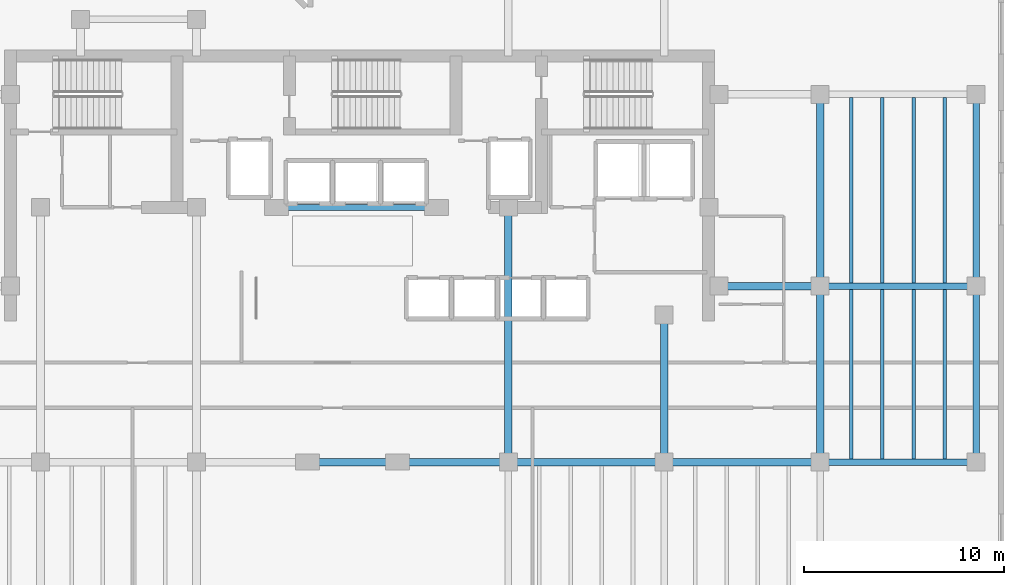
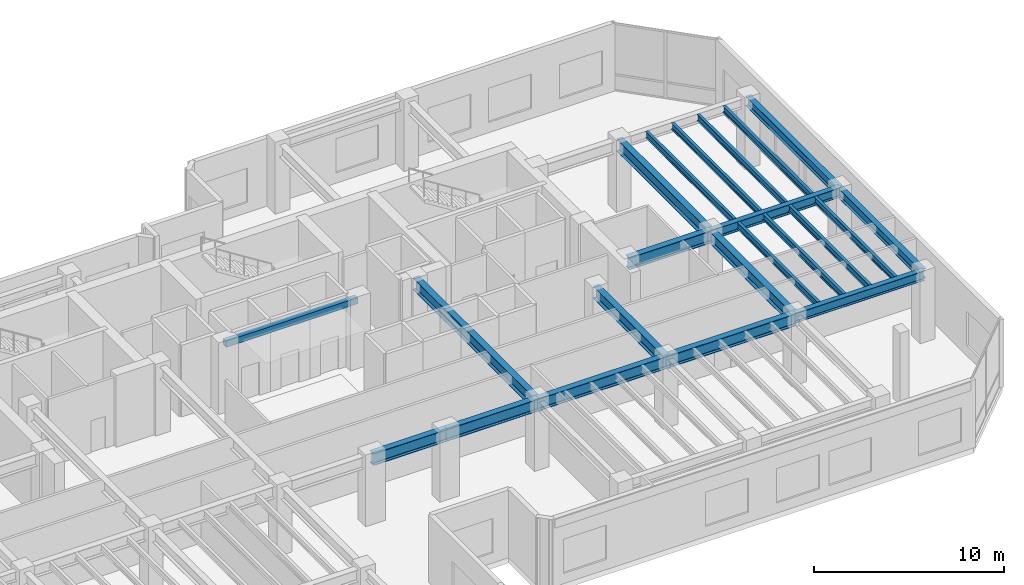
# One storey, part 7 of 20: 22 beams.
"""IFC4 building model written with IfcOpenShell, lengths in metres."""

from ifc_helpers import new_model, si_unit, direction, frame, origin, origin_2d, place, context, subcontext, project, spatial, rectangle, i_section, extrude, material, material_profile, profile_set, type_object, element, save


model = new_model("IFC4")

# Units and contexts
model_context = context("Model", 3, precision=1e-05, world=origin(), true_north=direction((0.0, 1.0)))
body_context = subcontext(model_context, "Body", "Model", "MODEL_VIEW")
ifc_project = project(units=[si_unit("LENGTHUNIT", "METRE"), si_unit("AREAUNIT", "SQUARE_METRE"), si_unit("VOLUMEUNIT", "CUBIC_METRE"), si_unit("PLANEANGLEUNIT", "RADIAN"), si_unit("MASSUNIT", "GRAM", prefix="KILO")], contexts=[model_context])

# Site, building, storey
site_placement = place(None, origin())
site = spatial("IfcSite", under=ifc_project, at=site_placement, CompositionType="ELEMENT")
building_placement = place(site_placement, origin())
building = spatial("IfcBuilding", under=site, at=building_placement, Name="Kestravale Grand Hotel", CompositionType="ELEMENT")
storey_placement = place(building_placement, frame((0.0, 0.0, 231.89990234375)))
storey = spatial("IfcBuildingStorey", under=building, at=storey_placement, Name="L58", CompositionType="ELEMENT", Elevation=231.89990234375)

# Beams
ifc_material_1 = material(Name="Steel ASTM A992 Grade 50", Category="steel")
ifc_material_profile_1 = material_profile(ifc_material_1, i_section(OverallWidth=0.177978515625, OverallDepth=0.404052734375, WebThickness=0.007568359375, FlangeThickness=0.010986328125, FilletRadius=0.01416015625, at=origin_2d()))
ifc_profile_set_1 = profile_set([ifc_material_profile_1], Name="Steel ASTM A992 Grade 50")
beam_type_1 = type_object("IfcBeamType", Name="B-FLR-JST16", PredefinedType="JOIST", material=ifc_profile_set_1)
for number, where, z_axis, x_axis, name in (
    (1, (63.9599609375, 20.16259765625, 4.148193359375), (0.0, 1.0, 0.0), (-1.0, 0.0, 0.0), "L58 floor joist 10-11/D-E #1"),
    (2, (65.52001953125, 20.16259765625, 4.148193359375), (0.0, 1.0, 0.0), (-1.0, 0.0, 0.0), "L58 floor joist 10-11/D-E #2"),
    (3, (67.080078125, 20.16259765625, 4.148193359375), (0.0, 1.0, 0.0), (-1.0, 0.0, 0.0), "L58 floor joist 10-11/D-E #3"),
    (4, (68.639892578125, 20.16259765625, 4.148193359375), (0.0, 1.0, 0.0), (-1.0, 0.0, 0.0), "L58 floor joist 10-11/D-E #4"),
):
    element("IfcBeam", number, at=place(storey_placement, frame(where, z_axis=z_axis, x_axis=x_axis)), inside=storey, type_object=beam_type_1, Name=name, PredefinedType="JOIST", context=body_context, shape_type="SweptSolid", body=[
        extrude(i_section(OverallWidth=0.177978515625, OverallDepth=0.404052734375, WebThickness=0.007568359375, FlangeThickness=0.010986328125, FilletRadius=0.01416015625, at=origin_2d()), origin(), (0.0, 0.0, 1.0), 8.474853515625),
    ])
for number, where, z_axis, x_axis, name in (
    (5, (63.9599609375, 28.96240234375, 4.148193359375), (0.0, 1.0, 0.0), (-1.0, 0.0, 0.0), "L58 floor joist 10-11/E-F #1"),
    (6, (65.52001953125, 28.96240234375, 4.148193359375), (0.0, 1.0, 0.0), (-1.0, 0.0, 0.0), "L58 floor joist 10-11/E-F #2"),
    (7, (67.080078125, 28.96240234375, 4.148193359375), (0.0, 1.0, 0.0), (-1.0, 0.0, 0.0), "L58 floor joist 10-11/E-F #3"),
    (8, (68.639892578125, 28.96240234375, 4.148193359375), (0.0, 1.0, 0.0), (-1.0, 0.0, 0.0), "L58 floor joist 10-11/E-F #4"),
):
    element("IfcBeam", number, at=place(storey_placement, frame(where, z_axis=z_axis, x_axis=x_axis)), inside=storey, type_object=beam_type_1, Name=name, PredefinedType="JOIST", context=body_context, shape_type="SweptSolid", body=[
        extrude(i_section(OverallWidth=0.177978515625, OverallDepth=0.404052734375, WebThickness=0.007568359375, FlangeThickness=0.010986328125, FilletRadius=0.01416015625, at=origin_2d()), origin(), (0.0, 0.0, 1.0), 9.275146484375),
    ])
ifc_material_2 = material(Name="Concrete f'c 45 MPa", Category="concrete")
ifc_material_profile_2 = material_profile(ifc_material_2, rectangle(XDim=0.300048828125, YDim=0.39990234375, at=origin_2d()))
ifc_profile_set_2 = profile_set([ifc_material_profile_2], Name="Concrete f'c 45 MPa")
beam_type_2 = type_object("IfcBeamType", Name="B-FLR-LNT400", PredefinedType="LINTEL", material=ifc_profile_set_2)
beam_1_placement = place(storey_placement, frame((35.199951171875, 32.75, 4.150146484375), z_axis=(1.0, 0.0, 0.0), x_axis=(0.0, 1.0, 0.0)))
element("IfcBeam", 9, at=beam_1_placement, inside=storey, type_object=beam_type_2, Name="L58 core portal header lintel", PredefinedType="LINTEL", context=body_context, shape_type="SweptSolid", body=[
    extrude(rectangle(XDim=0.300048828125, YDim=0.39990234375, at=origin_2d()), origin(), (0.0, 0.0, 1.0), 8.0),
])
ifc_material_3 = material(Name="Steel ASTM A992 Grade 50", Category="steel")
ifc_material_profile_3 = material_profile(ifc_material_3, i_section(OverallWidth=0.324951171875, OverallDepth=0.612060546875, WebThickness=0.0126953125, FlangeThickness=0.01904296875, FilletRadius=0.018798828125, at=origin_2d()))
ifc_profile_set_3 = profile_set([ifc_material_profile_3], Name="Steel ASTM A992 Grade 50")
beam_type_3 = type_object("IfcBeamType", Name="B-FLR-W24A", PredefinedType="SPANDREL", material=ifc_profile_set_3)
for number, where, z_axis, x_axis, name in (
    (10, (62.39990234375, 20.0, 4.044189453125), (1.0, 0.0, 0.0), (0.0, 1.0, 0.0), "L58 spandrel D:10-11"),
    (11, (62.39990234375, 28.800048828125, 4.044189453125), (1.0, 0.0, 0.0), (0.0, 1.0, 0.0), "L58 spandrel E:10-11"),
):
    element("IfcBeam", number, at=place(storey_placement, frame(where, z_axis=z_axis, x_axis=x_axis)), inside=storey, type_object=beam_type_3, Name=name, PredefinedType="SPANDREL", context=body_context, shape_type="SweptSolid", body=[
        extrude(i_section(OverallWidth=0.324951171875, OverallDepth=0.612060546875, WebThickness=0.0126953125, FlangeThickness=0.01904296875, FilletRadius=0.018798828125, at=origin_2d()), origin(), (0.0, 0.0, 1.0), 7.800048828125),
    ])
beam_2_placement = place(storey_placement, frame((70.199951171875, 20.0, 4.044189453125), z_axis=(0.0, 1.0, 0.0), x_axis=(-1.0, 0.0, 0.0)))
element("IfcBeam", 12, at=beam_2_placement, inside=storey, type_object=beam_type_3, Name="L58 spandrel 11:D-E", PredefinedType="SPANDREL", context=body_context, shape_type="SweptSolid", body=[
    extrude(i_section(OverallWidth=0.324951171875, OverallDepth=0.612060546875, WebThickness=0.0126953125, FlangeThickness=0.01904296875, FilletRadius=0.018798828125, at=origin_2d()), origin(), (0.0, 0.0, 1.0), 8.800048828125),
])
beam_3_placement = place(storey_placement, frame((70.199951171875, 28.800048828125, 4.044189453125), z_axis=(0.0, 1.0, 0.0), x_axis=(-1.0, 0.0, 0.0)))
element("IfcBeam", 13, at=beam_3_placement, inside=storey, type_object=beam_type_3, Name="L58 spandrel 11:E-F", PredefinedType="SPANDREL", context=body_context, shape_type="SweptSolid", body=[
    extrude(i_section(OverallWidth=0.324951171875, OverallDepth=0.612060546875, WebThickness=0.0126953125, FlangeThickness=0.01904296875, FilletRadius=0.018798828125, at=origin_2d()), origin(), (0.0, 0.0, 1.0), 9.599853515625),
])
ifc_material_4 = material(Name="Steel ASTM A992 Grade 50", Category="steel")
ifc_material_profile_4 = material_profile(ifc_material_4, i_section(OverallWidth=0.381103515625, OverallDepth=0.77197265625, WebThickness=0.0166015625, FlangeThickness=0.027099609375, FilletRadius=0.023681640625, at=origin_2d()))
ifc_profile_set_4 = profile_set([ifc_material_profile_4], Name="Steel ASTM A992 Grade 50")
beam_type_4 = type_object("IfcBeamType", Name="B-GRD-W30", PredefinedType="BEAM", material=ifc_profile_set_4)
beam_4_placement = place(storey_placement, frame((36.75, 20.0, 3.964111328125), z_axis=(1.0, 0.0, 0.0), x_axis=(0.0, 1.0, 0.0)))
element("IfcBeam", 14, at=beam_4_placement, inside=storey, type_object=beam_type_4, Name="L58 girder D:6-7", PredefinedType="BEAM", context=body_context, shape_type="SweptSolid", body=[
    extrude(i_section(OverallWidth=0.381103515625, OverallDepth=0.77197265625, WebThickness=0.0166015625, FlangeThickness=0.027099609375, FilletRadius=0.023681640625, at=origin_2d()), origin(), (0.0, 0.0, 1.0), 4.5),
])
beam_5_placement = place(storey_placement, frame((41.25, 20.0, 3.964111328125), z_axis=(1.0, 0.0, 0.0), x_axis=(0.0, 1.0, 0.0)))
element("IfcBeam", 15, at=beam_5_placement, inside=storey, type_object=beam_type_4, Name="L58 girder D:7-8", PredefinedType="BEAM", context=body_context, shape_type="SweptSolid", body=[
    extrude(i_section(OverallWidth=0.381103515625, OverallDepth=0.77197265625, WebThickness=0.0166015625, FlangeThickness=0.027099609375, FilletRadius=0.023681640625, at=origin_2d()), origin(), (0.0, 0.0, 1.0), 5.550048828125),
])
beam_6_placement = place(storey_placement, frame((46.800048828125, 20.0, 3.964111328125), z_axis=(1.0, 0.0, 0.0), x_axis=(0.0, 1.0, 0.0)))
element("IfcBeam", 16, at=beam_6_placement, inside=storey, type_object=beam_type_4, Name="L58 girder D:8-9", PredefinedType="BEAM", context=body_context, shape_type="SweptSolid", body=[
    extrude(i_section(OverallWidth=0.381103515625, OverallDepth=0.77197265625, WebThickness=0.0166015625, FlangeThickness=0.027099609375, FilletRadius=0.023681640625, at=origin_2d()), origin(), (0.0, 0.0, 1.0), 7.800048828125),
])
beam_7_placement = place(storey_placement, frame((54.60009765625, 20.0, 3.964111328125), z_axis=(1.0, 0.0, 0.0), x_axis=(0.0, 1.0, 0.0)))
element("IfcBeam", 17, at=beam_7_placement, inside=storey, type_object=beam_type_4, Name="L58 girder D:9-10", PredefinedType="BEAM", context=body_context, shape_type="SweptSolid", body=[
    extrude(i_section(OverallWidth=0.381103515625, OverallDepth=0.77197265625, WebThickness=0.0166015625, FlangeThickness=0.027099609375, FilletRadius=0.023681640625, at=origin_2d()), origin(), (0.0, 0.0, 1.0), 7.7998046875),
])
beam_8_placement = place(storey_placement, frame((57.35009765625, 28.800048828125, 3.964111328125), z_axis=(1.0, 0.0, 0.0), x_axis=(0.0, 1.0, 0.0)))
element("IfcBeam", 18, at=beam_8_placement, inside=storey, type_object=beam_type_4, Name="L58 girder E:CE-10", PredefinedType="BEAM", context=body_context, shape_type="SweptSolid", body=[
    extrude(i_section(OverallWidth=0.381103515625, OverallDepth=0.77197265625, WebThickness=0.0166015625, FlangeThickness=0.027099609375, FilletRadius=0.023681640625, at=origin_2d()), origin(), (0.0, 0.0, 1.0), 5.0498046875),
])
beam_9_placement = place(storey_placement, frame((46.800048828125, 20.0, 3.964111328125), z_axis=(0.0, 1.0, 0.0), x_axis=(-1.0, 0.0, 0.0)))
element("IfcBeam", 19, at=beam_9_placement, inside=storey, type_object=beam_type_4, Name="L58 girder 8:D-CS", PredefinedType="BEAM", context=body_context, shape_type="SweptSolid", body=[
    extrude(i_section(OverallWidth=0.381103515625, OverallDepth=0.77197265625, WebThickness=0.0166015625, FlangeThickness=0.027099609375, FilletRadius=0.023681640625, at=origin_2d()), origin(), (0.0, 0.0, 1.0), 12.75),
])
beam_10_placement = place(storey_placement, frame((54.60009765625, 20.0, 3.964111328125), z_axis=(0.0, 1.0, 0.0), x_axis=(-1.0, 0.0, 0.0)))
element("IfcBeam", 20, at=beam_10_placement, inside=storey, type_object=beam_type_4, Name="L58 girder 9:D-CS", PredefinedType="BEAM", context=body_context, shape_type="SweptSolid", body=[
    extrude(i_section(OverallWidth=0.381103515625, OverallDepth=0.77197265625, WebThickness=0.0166015625, FlangeThickness=0.027099609375, FilletRadius=0.023681640625, at=origin_2d()), origin(), (0.0, 0.0, 1.0), 7.35009765625),
])
beam_11_placement = place(storey_placement, frame((62.39990234375, 20.0, 3.964111328125), z_axis=(0.0, 1.0, 0.0), x_axis=(-1.0, 0.0, 0.0)))
element("IfcBeam", 21, at=beam_11_placement, inside=storey, type_object=beam_type_4, Name="L58 girder 10:D-E", PredefinedType="BEAM", context=body_context, shape_type="SweptSolid", body=[
    extrude(i_section(OverallWidth=0.381103515625, OverallDepth=0.77197265625, WebThickness=0.0166015625, FlangeThickness=0.027099609375, FilletRadius=0.023681640625, at=origin_2d()), origin(), (0.0, 0.0, 1.0), 8.800048828125),
])
beam_12_placement = place(storey_placement, frame((62.39990234375, 28.800048828125, 3.964111328125), z_axis=(0.0, 1.0, 0.0), x_axis=(-1.0, 0.0, 0.0)))
element("IfcBeam", 22, at=beam_12_placement, inside=storey, type_object=beam_type_4, Name="L58 girder 10:E-F", PredefinedType="BEAM", context=body_context, shape_type="SweptSolid", body=[
    extrude(i_section(OverallWidth=0.381103515625, OverallDepth=0.77197265625, WebThickness=0.0166015625, FlangeThickness=0.027099609375, FilletRadius=0.023681640625, at=origin_2d()), origin(), (0.0, 0.0, 1.0), 9.599853515625),
])

save(model, "model.ifc")
